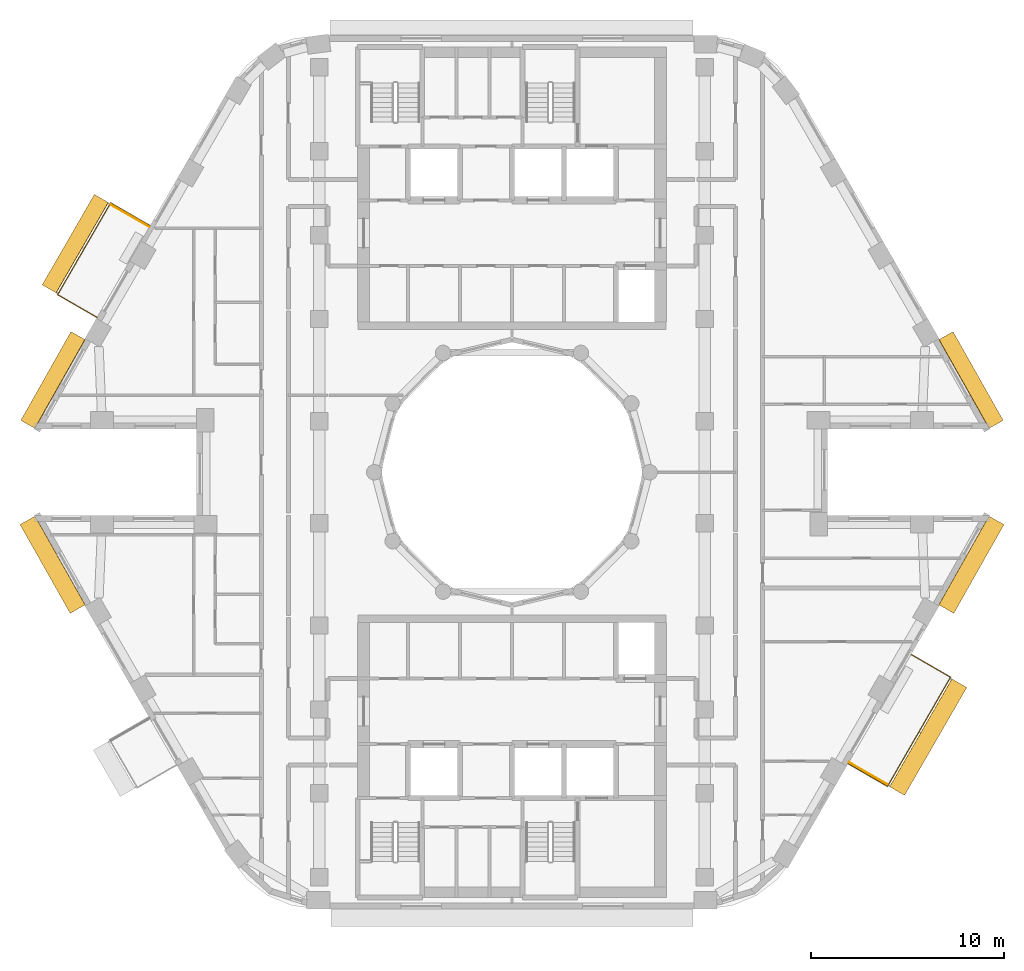
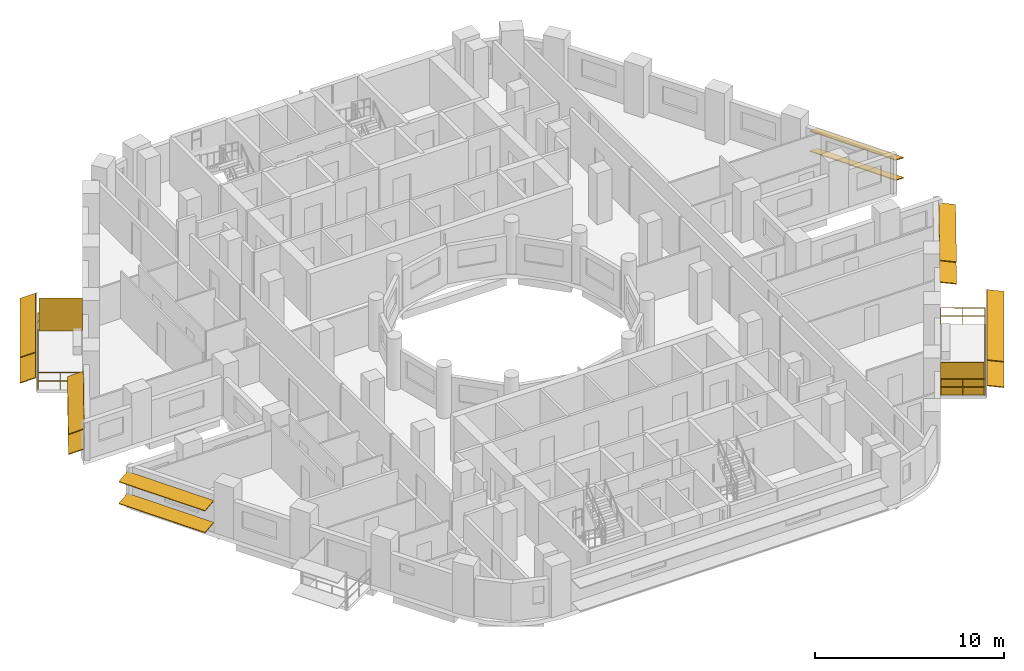
# One storey, part 16 of 17: 14 shading devices, 2 railings.
"""IFC4 building model written with IfcOpenShell, lengths in metres."""

from ifc_helpers import new_model, si_unit, direction, frame, origin, origin_2d, place, context, subcontext, project, spatial, rectangle, circle, extrude, material, layer, layer_set, material_profile, profile_set, type_object, element, save


model = new_model("IFC4")

# Units and contexts
model_context = context("Model", 3, precision=1e-05, world=origin(), true_north=direction((0.0, 1.0)))
body_context = subcontext(model_context, "Body", "Model", "MODEL_VIEW")
ifc_project = project(units=[si_unit("LENGTHUNIT", "METRE"), si_unit("AREAUNIT", "SQUARE_METRE"), si_unit("VOLUMEUNIT", "CUBIC_METRE"), si_unit("PLANEANGLEUNIT", "RADIAN"), si_unit("MASSUNIT", "GRAM", prefix="KILO")], contexts=[model_context])

# Site, building, storey
site_placement = place(None, origin())
site = spatial("IfcSite", under=ifc_project, at=site_placement, CompositionType="ELEMENT")
building_placement = place(site_placement, origin())
building = spatial("IfcBuilding", under=site, at=building_placement, Name="Nakaniwa Court", CompositionType="ELEMENT")
storey_placement = place(building_placement, frame((0.0, 0.0, 206.39990234375)))
storey = spatial("IfcBuildingStorey", under=building, at=storey_placement, Name="L54", CompositionType="ELEMENT", Elevation=206.39990234375)

# Railings
ifc_material_1 = material(Name="Black powder-coated steel flat bar balustrade S275", Category="steel")
railing_type = type_object("IfcRailingType", Name="Black metal balcony guard 1100", PredefinedType="GUARDRAIL", material=ifc_material_1)
railing_1_placement = place(storey_placement, frame((61.22900390625, 92.787841796875, -0.0498046875)))
element("IfcRailing", 1, at=railing_1_placement, inside=storey, type_object=railing_type, Name="L54 balcony guard 01", PredefinedType="GUARDRAIL", context=body_context, shape_type="SweptSolid", body=[
    extrude(circle(Radius=0.02392578125, at=origin_2d()), frame((0.0, 0.0, 1.076171875), z_axis=(-0.865980564943, 0.500077655111, 0.0), x_axis=(-0.500077655111, -0.865980564943, 0.0)), (0.0, 0.0, 1.0), 2.35986328125),
    extrude(circle(Radius=0.02392578125, at=origin_2d()), frame((0.0, 0.0, 0.550048828125), z_axis=(-0.865980564943, 0.500077655111, 0.0), x_axis=(-0.500077655111, -0.865980564943, 0.0)), (0.0, 0.0, 1.0), 2.35986328125),
    extrude(circle(Radius=0.02392578125, at=origin_2d()), frame((-2.043701171875, 1.18017578125, 1.076171875), z_axis=(-0.500004459798, -0.866022828903, 0.0), x_axis=(0.866022828903, -0.500004459798, 0.0)), (0.0, 0.0, 1.0), 5.49560546875),
    extrude(circle(Radius=0.02392578125, at=origin_2d()), frame((-2.043701171875, 1.18017578125, 0.550048828125), z_axis=(-0.500004459798, -0.866022828903, 0.0), x_axis=(0.866022828903, -0.500004459798, 0.0)), (0.0, 0.0, 1.0), 5.49560546875),
    extrude(circle(Radius=0.02392578125, at=origin_2d()), frame((-4.79150390625, -3.5791015625, 1.076171875), z_axis=(0.866051224006, -0.499955275397, 0.0), x_axis=(0.499955275397, 0.866051224006, 0.0)), (0.0, 0.0, 1.0), 2.360107421875),
    extrude(circle(Radius=0.02392578125, at=origin_2d()), frame((-4.79150390625, -3.5791015625, 0.550048828125), z_axis=(0.866051224006, -0.499955275397, 0.0), x_axis=(0.499955275397, 0.866051224006, 0.0)), (0.0, 0.0, 1.0), 2.360107421875),
    extrude(circle(Radius=0.02099609375, at=origin_2d()), origin(), (0.0, 0.0, 1.0), 1.052001953125),
    extrude(circle(Radius=0.02099609375, at=origin_2d()), frame((-1.02197265625, 0.590087890625, 0.0)), (0.0, 0.0, 1.0), 1.052001953125),
    extrude(circle(Radius=0.02099609375, at=origin_2d()), frame((-2.043701171875, 1.18017578125, 0.0)), (0.0, 0.0, 1.0), 1.052001953125),
    extrude(circle(Radius=0.02099609375, at=origin_2d()), frame((-2.59326171875, 0.228271484375, 0.0)), (0.0, 0.0, 1.0), 1.052001953125),
    extrude(circle(Radius=0.02099609375, at=origin_2d()), frame((-3.142822265625, -0.7236328125, 0.0)), (0.0, 0.0, 1.0), 1.052001953125),
    extrude(circle(Radius=0.02099609375, at=origin_2d()), frame((-3.6923828125, -1.67529296875, 0.0)), (0.0, 0.0, 1.0), 1.052001953125),
    extrude(circle(Radius=0.02099609375, at=origin_2d()), frame((-4.241943359375, -2.627197265625, 0.0)), (0.0, 0.0, 1.0), 1.052001953125),
    extrude(circle(Radius=0.02099609375, at=origin_2d()), frame((-4.79150390625, -3.5791015625, 0.0)), (0.0, 0.0, 1.0), 1.052001953125),
    extrude(circle(Radius=0.02099609375, at=origin_2d()), frame((-3.76953125, -4.1689453125, 0.0)), (0.0, 0.0, 1.0), 1.052001953125),
    extrude(circle(Radius=0.02099609375, at=origin_2d()), frame((-2.74755859375, -4.759033203125, 0.0)), (0.0, 0.0, 1.0), 1.052001953125),
])
railing_2_placement = place(storey_placement, frame((97.429443359375, 64.888427734375, -0.0498046875)))
element("IfcRailing", 2, at=railing_2_placement, inside=storey, type_object=railing_type, Name="L54 balcony guard 03", PredefinedType="GUARDRAIL", context=body_context, shape_type="SweptSolid", body=[
    extrude(circle(Radius=0.02392578125, at=origin_2d()), frame((0.0, 0.0, 1.076171875), z_axis=(0.866025363618, -0.50000006957, 0.0), x_axis=(0.50000006957, 0.866025363618, 0.0)), (0.0, 0.0, 1.0), 2.35986328125),
    extrude(circle(Radius=0.02392578125, at=origin_2d()), frame((0.0, 0.0, 0.550048828125), z_axis=(0.866025363618, -0.50000006957, 0.0), x_axis=(0.50000006957, 0.866025363618, 0.0)), (0.0, 0.0, 1.0), 2.35986328125),
    extrude(circle(Radius=0.02392578125, at=origin_2d()), frame((2.043701171875, -1.179931640625, 1.076171875), z_axis=(0.500021928932, 0.866012742739, 0.0), x_axis=(-0.866012742739, 0.500021928932, 0.0)), (0.0, 0.0, 1.0), 6.539306640625),
    extrude(circle(Radius=0.02392578125, at=origin_2d()), frame((2.043701171875, -1.179931640625, 0.550048828125), z_axis=(0.500021928932, 0.866012742739, 0.0), x_axis=(-0.866012742739, 0.500021928932, 0.0)), (0.0, 0.0, 1.0), 6.539306640625),
    extrude(circle(Radius=0.02392578125, at=origin_2d()), frame((5.3134765625, 4.483154296875, 1.076171875), z_axis=(-0.865980564943, 0.500077655111, 0.0), x_axis=(-0.500077655111, -0.865980564943, 0.0)), (0.0, 0.0, 1.0), 2.35986328125),
    extrude(circle(Radius=0.02392578125, at=origin_2d()), frame((5.3134765625, 4.483154296875, 0.550048828125), z_axis=(-0.865980564943, 0.500077655111, 0.0), x_axis=(-0.500077655111, -0.865980564943, 0.0)), (0.0, 0.0, 1.0), 2.35986328125),
    extrude(circle(Radius=0.02099609375, at=origin_2d()), origin(), (0.0, 0.0, 1.0), 1.052001953125),
    extrude(circle(Radius=0.02099609375, at=origin_2d()), frame((1.02197265625, -0.58984375, 0.0)), (0.0, 0.0, 1.0), 1.052001953125),
    extrude(circle(Radius=0.02099609375, at=origin_2d()), frame((2.043701171875, -1.179931640625, 0.0)), (0.0, 0.0, 1.0), 1.052001953125),
    extrude(circle(Radius=0.02099609375, at=origin_2d()), frame((2.588623046875, -0.236083984375, 0.0)), (0.0, 0.0, 1.0), 1.052001953125),
    extrude(circle(Radius=0.02099609375, at=origin_2d()), frame((3.133544921875, 0.707763671875, 0.0)), (0.0, 0.0, 1.0), 1.052001953125),
    extrude(circle(Radius=0.02099609375, at=origin_2d()), frame((3.6787109375, 1.651611328125, 0.0)), (0.0, 0.0, 1.0), 1.052001953125),
    extrude(circle(Radius=0.02099609375, at=origin_2d()), frame((4.2236328125, 2.595458984375, 0.0)), (0.0, 0.0, 1.0), 1.052001953125),
    extrude(circle(Radius=0.02099609375, at=origin_2d()), frame((4.7685546875, 3.539306640625, 0.0)), (0.0, 0.0, 1.0), 1.052001953125),
    extrude(circle(Radius=0.02099609375, at=origin_2d()), frame((5.3134765625, 4.483154296875, 0.0)), (0.0, 0.0, 1.0), 1.052001953125),
    extrude(circle(Radius=0.02099609375, at=origin_2d()), frame((4.29150390625, 5.0732421875, 0.0)), (0.0, 0.0, 1.0), 1.052001953125),
    extrude(circle(Radius=0.02099609375, at=origin_2d()), frame((3.269775390625, 5.663330078125, 0.0)), (0.0, 0.0, 1.0), 1.052001953125),
])

# Shading devices
ifc_material_2 = material(Name="Black powder-coated aluminium slat screen", Category="aluminium")
ifc_layer = layer(ifc_material_2, 0.0400390625)
ifc_layer_set = layer_set([ifc_layer], Name="Black powder-coated aluminium slat screen")
shading_device_type_1 = type_object("IfcShadingDeviceType", Name="Koshi screen black metal", PredefinedType="USERDEFINED", material=ifc_layer_set)
for number, where, z_axis, x_axis, name in (
    (3, (60.188720703125, 93.296142578125, -0.050048828125), (0.0, 0.0, 1.0), (-0.499986396443, -0.866033257659, 0.0), "L54 balcony SCREEN 01 W"),
    (4, (98.469482421875, 64.38037109375, -0.050048828125), (0.0, 0.0, 1.0), (0.500016626402, 0.866015804314, 0.0), "L54 balcony SCREEN 03 W"),
):
    element("IfcShadingDevice", number, at=place(storey_placement, frame(where, z_axis=z_axis, x_axis=x_axis)), inside=storey, type_object=shading_device_type_1, Name=name, ObjectType="KOSHI SCREEN", PredefinedType="USERDEFINED", context=body_context, shape_type="SweptSolid", body=[
        extrude(rectangle(XDim=0.0400390625, YDim=2.31005859375, at=origin_2d()), origin(), (0.0, 0.0, 1.0), 2.10009765625),
    ])
ifc_material_3 = material(Name="Perforated charcoal ceramic louvre blade")
ifc_material_profile = material_profile(ifc_material_3, rectangle(XDim=0.89990234375, YDim=0.050048828125, at=origin_2d()), Name="Perforated ceramic louvre blade")
ifc_profile_set = profile_set([ifc_material_profile], Name="Perforated charcoal ceramic louvre blade")
shading_device_type_2 = type_object("IfcShadingDeviceType", Name="Perforated ceramic louvre blade", PredefinedType="JALOUSIE", material=ifc_profile_set)
for number, where, z_axis, x_axis, name in (
    (5, (58.710205078125, 94.19580078125, 0.5), (-0.499989134974, -0.866031676619, 0.0), (0.800108940535, -0.46192972828, 0.382683432365), "L54 perforated ceramic louvre blade 01 1"),
    (6, (58.710205078125, 94.19580078125, 2.150146484375), (-0.499989134974, -0.866031676619, 0.0), (0.800108940535, -0.46192972828, 0.382683432365), "L54 perforated ceramic louvre blade 01 2"),
):
    element("IfcShadingDevice", number, at=place(storey_placement, frame(where, z_axis=z_axis, x_axis=x_axis)), inside=storey, type_object=shading_device_type_2, Name=name, PredefinedType="JALOUSIE", context=body_context, shape_type="SweptSolid", body=[
        extrude(rectangle(XDim=0.89990234375, YDim=0.050048828125, at=origin_2d()), origin(), (0.0, 0.0, 1.0), 5.4150390625),
    ])
for number, where, z_axis, x_axis, name in (
    (7, (99.968994140625, 63.468505859375, 0.5), (0.500021278789, 0.866013118121, 0.0), (-0.858604255843, 0.495743527433, 0.13052619222), "L54 perforated ceramic louvre blade 03 1"),
    (8, (99.968994140625, 63.468505859375, 2.150146484375), (0.500021278789, 0.866013118121, 0.0), (-0.858604255843, 0.495743527433, 0.13052619222), "L54 perforated ceramic louvre blade 03 2"),
):
    element("IfcShadingDevice", number, at=place(storey_placement, frame(where, z_axis=z_axis, x_axis=x_axis)), inside=storey, type_object=shading_device_type_2, Name=name, PredefinedType="JALOUSIE", context=body_context, shape_type="SweptSolid", body=[
        extrude(rectangle(XDim=0.89990234375, YDim=0.050048828125, at=origin_2d()), origin(), (0.0, 0.0, 1.0), 6.459228515625),
    ])
for number, where, z_axis, x_axis, name in (
    (9, (105.103759765625, 82.480224609375, 0.550048828125), (-0.492005517921, 0.870592080331, 0.0), (-0.804902454764, -0.454881750109, 0.38107037635), "L54 perforated ceramic louvre blade w02 1"),
    (10, (105.103759765625, 82.480224609375, 1.845458984375), (-0.492005517921, 0.870592080331, 0.0), (-0.804902454764, -0.454881750109, 0.38107037635), "L54 perforated ceramic louvre blade w02 2"),
    (11, (57.497314453125, 87.082763671875, 0.550048828125), (-0.492005517921, -0.870592080331, 0.0), (0.804902454764, -0.454881750109, 0.38107037635), "L54 perforated ceramic louvre blade w14 1"),
    (12, (57.497314453125, 87.082763671875, 1.845458984375), (-0.492005517921, -0.870592080331, 0.0), (0.804902454764, -0.454881750109, 0.38107037635), "L54 perforated ceramic louvre blade w14 2"),
):
    element("IfcShadingDevice", number, at=place(storey_placement, frame(where, z_axis=z_axis, x_axis=x_axis)), inside=storey, type_object=shading_device_type_2, Name=name, PredefinedType="JALOUSIE", context=body_context, shape_type="SweptSolid", body=[
        extrude(rectangle(XDim=0.89990234375, YDim=0.050048828125, at=origin_2d()), origin(), (0.0, 0.0, 1.0), 5.28662109375),
    ])
for number, where, z_axis, x_axis, name in (
    (13, (54.87548828125, 77.508056640625, 0.550048828125), (0.492040518232, -0.870572299363, 0.0), (0.862924792041, 0.487718208105, 0.132256390257), "L54 perforated ceramic louvre blade w20 1"),
    (14, (54.87548828125, 77.508056640625, 1.955810546875), (0.492040518232, -0.870572299363, 0.0), (0.862924792041, 0.487718208105, 0.132256390257), "L54 perforated ceramic louvre blade w20 2"),
    (15, (102.523193359375, 72.905517578125, 0.550048828125), (0.492040518232, 0.870572299363, 0.0), (-0.862924792041, 0.487718208105, 0.132256390257), "L54 perforated ceramic louvre blade w32 1"),
    (16, (102.523193359375, 72.905517578125, 1.955810546875), (0.492040518232, 0.870572299363, 0.0), (-0.862924792041, 0.487718208105, 0.132256390257), "L54 perforated ceramic louvre blade w32 2"),
):
    element("IfcShadingDevice", number, at=place(storey_placement, frame(where, z_axis=z_axis, x_axis=x_axis)), inside=storey, type_object=shading_device_type_2, Name=name, PredefinedType="JALOUSIE", context=body_context, shape_type="SweptSolid", body=[
        extrude(rectangle(XDim=0.89990234375, YDim=0.050048828125, at=origin_2d()), origin(), (0.0, 0.0, 1.0), 5.286865234375),
    ])

save(model, "model.ifc")
